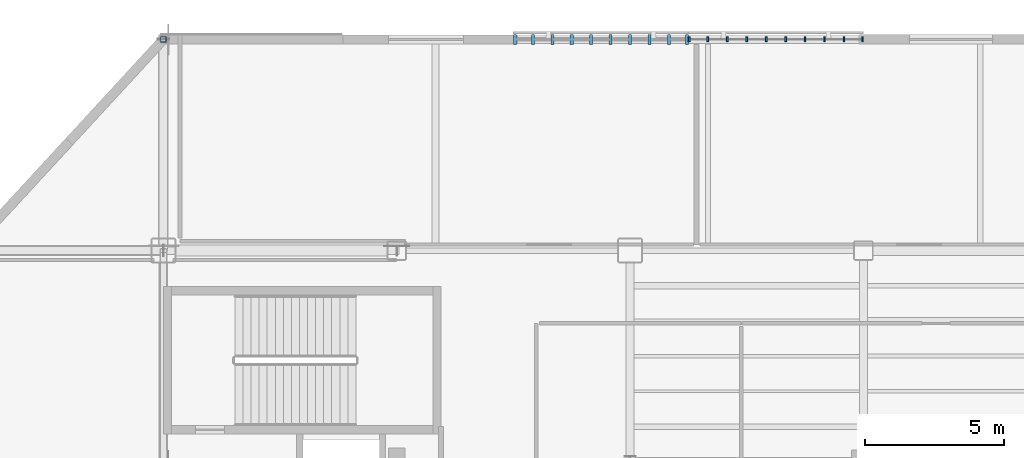
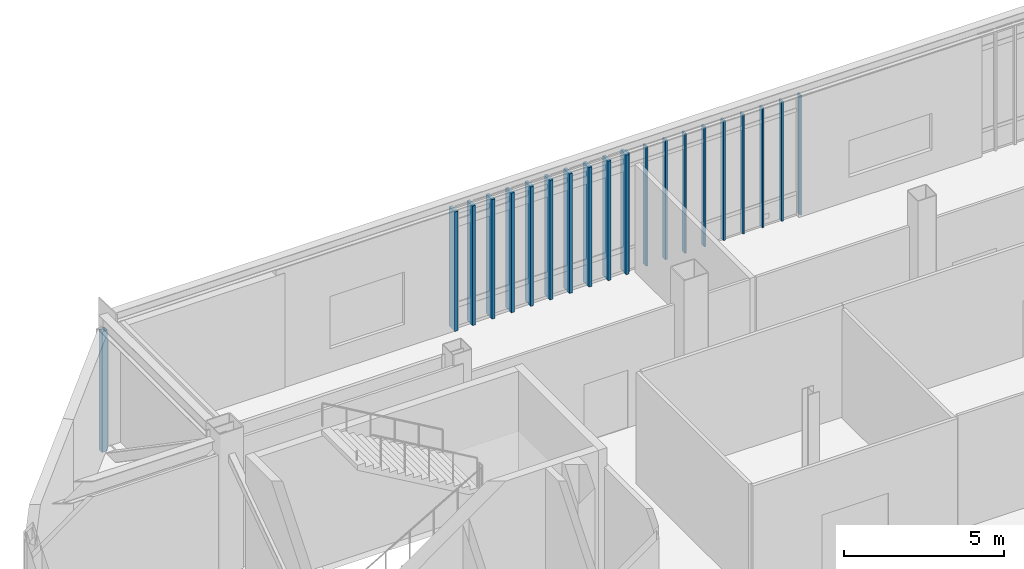
# One storey, part 36 of 127: 21 members, 2 elements without a shape of their own.
"""IFC4 building model written with IfcOpenShell, lengths in metres."""

from ifc_helpers import new_model, si_unit, direction, frame, origin, origin_2d, place, context, subcontext, project, spatial, rectangle, hollow_rectangle, extrude, material, material_profile, profile_set, type_object, element, aggregate, save


model = new_model("IFC4")

# Units and contexts
model_context = context("Model", 3, precision=1e-05, world=origin(), true_north=direction((0.0, 1.0)))
body_context = subcontext(model_context, "Body", "Model", "MODEL_VIEW")
ifc_project = project(units=[si_unit("LENGTHUNIT", "METRE"), si_unit("AREAUNIT", "SQUARE_METRE"), si_unit("VOLUMEUNIT", "CUBIC_METRE"), si_unit("PLANEANGLEUNIT", "RADIAN"), si_unit("MASSUNIT", "GRAM", prefix="KILO")], contexts=[model_context])

# Site, building, storey
site_placement = place(None, origin())
site = spatial("IfcSite", under=ifc_project, at=site_placement, CompositionType="ELEMENT")
building_placement = place(site_placement, origin())
building = spatial("IfcBuilding", under=site, at=building_placement, Name="Larkvane Passage Sports Hall", CompositionType="ELEMENT")
storey_placement = place(building_placement, frame((0.0, 0.0, 5.39990234375)))
storey = spatial("IfcBuildingStorey", under=building, at=storey_placement, Name="L01", CompositionType="ELEMENT", Elevation=5.39990234375)

# Curtain wall, members
ifc_material_1 = material(Name="Thermally broken aluminium and low-E glazing", Category="aluminium")
curtain_wall_type_1 = type_object("IfcCurtainWallType", Name="CW-CLINIC", PredefinedType="USERDEFINED", material=ifc_material_1)
curtain_wall_1_placement = place(storey_placement, origin())
curtain_wall_1 = element("IfcCurtainWall", 1, at=curtain_wall_1_placement, inside=storey, type_object=curtain_wall_type_1, Name="Curtain wall CW5-L01-039", ObjectType="UNITISED CURTAIN WALL", PredefinedType="USERDEFINED")
ifc_material_2 = material(Name="Anodised aluminium 6063-T6", Category="aluminium")
ifc_material_profile_1 = material_profile(ifc_material_2, rectangle(XDim=0.110107421875, YDim=0.360107421875, at=origin_2d()), Name="ALU-MUL-110x360")
ifc_profile_set_1 = profile_set([ifc_material_profile_1], Name="Anodised aluminium 6063-T6")
member_type_1 = type_object("IfcMemberType", Name="CW-MUL-110x360", PredefinedType="MULLION", material=ifc_profile_set_1)
member_1_placement = place(storey_placement, frame((47.455078125, 99.199951171875, 0.0), z_axis=(0.0, 0.0, 1.0), x_axis=(1.0, 0.0, 0.0)))
member_1 = element("IfcMember", 2, at=member_1_placement, type_object=member_type_1, Name="CW-05 mullion 1", PredefinedType="MULLION", context=body_context, shape_type="SweptSolid", body=[
    extrude(rectangle(XDim=0.110107421875, YDim=0.360107421875, at=origin_2d()), origin(), (0.0, 0.0, 1.0), 4.568115234375),
])
member_2_placement = place(storey_placement, frame((48.10009765625, 99.199951171875, 0.0), z_axis=(0.0, 0.0, 1.0), x_axis=(1.0, 0.0, 0.0)))
member_2 = element("IfcMember", 3, at=member_2_placement, type_object=member_type_1, Name="CW-05 mullion 2", PredefinedType="MULLION", context=body_context, shape_type="SweptSolid", body=[
    extrude(rectangle(XDim=0.110107421875, YDim=0.360107421875, at=origin_2d()), origin(), (0.0, 0.0, 1.0), 4.568115234375),
])
member_3_placement = place(storey_placement, frame((48.800048828125, 99.199951171875, 0.0), z_axis=(0.0, 0.0, 1.0), x_axis=(1.0, 0.0, 0.0)))
member_3 = element("IfcMember", 4, at=member_3_placement, type_object=member_type_1, Name="CW-05 mullion 3", PredefinedType="MULLION", context=body_context, shape_type="SweptSolid", body=[
    extrude(rectangle(XDim=0.110107421875, YDim=0.360107421875, at=origin_2d()), origin(), (0.0, 0.0, 1.0), 4.568115234375),
])
member_4_placement = place(storey_placement, frame((49.5, 99.199951171875, 0.0), z_axis=(0.0, 0.0, 1.0), x_axis=(1.0, 0.0, 0.0)))
member_4 = element("IfcMember", 5, at=member_4_placement, type_object=member_type_1, Name="CW-05 mullion 4", PredefinedType="MULLION", context=body_context, shape_type="SweptSolid", body=[
    extrude(rectangle(XDim=0.110107421875, YDim=0.360107421875, at=origin_2d()), origin(), (0.0, 0.0, 1.0), 4.568115234375),
])
member_5_placement = place(storey_placement, frame((50.199951171875, 99.199951171875, 0.0), z_axis=(0.0, 0.0, 1.0), x_axis=(1.0, 0.0, 0.0)))
member_5 = element("IfcMember", 6, at=member_5_placement, type_object=member_type_1, Name="CW-05 mullion 5", PredefinedType="MULLION", context=body_context, shape_type="SweptSolid", body=[
    extrude(rectangle(XDim=0.110107421875, YDim=0.360107421875, at=origin_2d()), origin(), (0.0, 0.0, 1.0), 4.568115234375),
])
member_6_placement = place(storey_placement, frame((50.89990234375, 99.199951171875, 0.0), z_axis=(0.0, 0.0, 1.0), x_axis=(1.0, 0.0, 0.0)))
member_6 = element("IfcMember", 7, at=member_6_placement, type_object=member_type_1, Name="CW-05 mullion 6", PredefinedType="MULLION", context=body_context, shape_type="SweptSolid", body=[
    extrude(rectangle(XDim=0.110107421875, YDim=0.360107421875, at=origin_2d()), origin(), (0.0, 0.0, 1.0), 4.568115234375),
])
member_7_placement = place(storey_placement, frame((51.60009765625, 99.199951171875, 0.0), z_axis=(0.0, 0.0, 1.0), x_axis=(1.0, 0.0, 0.0)))
member_7 = element("IfcMember", 8, at=member_7_placement, type_object=member_type_1, Name="CW-05 mullion 7", PredefinedType="MULLION", context=body_context, shape_type="SweptSolid", body=[
    extrude(rectangle(XDim=0.110107421875, YDim=0.360107421875, at=origin_2d()), origin(), (0.0, 0.0, 1.0), 4.568115234375),
])
member_8_placement = place(storey_placement, frame((52.300048828125, 99.199951171875, 0.0), z_axis=(0.0, 0.0, 1.0), x_axis=(1.0, 0.0, 0.0)))
member_8 = element("IfcMember", 9, at=member_8_placement, type_object=member_type_1, Name="CW-05 mullion 8", PredefinedType="MULLION", context=body_context, shape_type="SweptSolid", body=[
    extrude(rectangle(XDim=0.110107421875, YDim=0.360107421875, at=origin_2d()), origin(), (0.0, 0.0, 1.0), 4.568115234375),
])
member_9_placement = place(storey_placement, frame((53.0, 99.199951171875, 0.0), z_axis=(0.0, 0.0, 1.0), x_axis=(1.0, 0.0, 0.0)))
member_9 = element("IfcMember", 10, at=member_9_placement, type_object=member_type_1, Name="CW-05 mullion 9", PredefinedType="MULLION", context=body_context, shape_type="SweptSolid", body=[
    extrude(rectangle(XDim=0.110107421875, YDim=0.360107421875, at=origin_2d()), origin(), (0.0, 0.0, 1.0), 4.568115234375),
])
member_10_placement = place(storey_placement, frame((53.64501953125, 99.199951171875, 0.0), z_axis=(0.0, 0.0, 1.0), x_axis=(1.0, 0.0, 0.0)))
member_10 = element("IfcMember", 11, at=member_10_placement, type_object=member_type_1, Name="CW-05 mullion 10", PredefinedType="MULLION", context=body_context, shape_type="SweptSolid", body=[
    extrude(rectangle(XDim=0.110107421875, YDim=0.360107421875, at=origin_2d()), origin(), (0.0, 0.0, 1.0), 4.568115234375),
])
aggregate(curtain_wall_1, [member_1, member_2, member_3, member_4, member_5, member_6, member_7, member_8, member_9, member_10])

curtain_wall_type_2 = type_object("IfcCurtainWallType", Name="CW-UNIT-COURT", PredefinedType="USERDEFINED", material=ifc_material_1)
curtain_wall_2_placement = place(storey_placement, origin())
curtain_wall_2 = element("IfcCurtainWall", 12, at=curtain_wall_2_placement, inside=storey, type_object=curtain_wall_type_2, Name="Curtain wall CW5-L01-040", ObjectType="UNITISED CURTAIN WALL", PredefinedType="USERDEFINED")
ifc_material_profile_2 = material_profile(ifc_material_2, rectangle(XDim=0.06494140625, YDim=0.179931640625, at=origin_2d()), Name="ALU-MUL-65x180")
ifc_profile_set_2 = profile_set([ifc_material_profile_2], Name="Anodised aluminium 6063-T6")
member_type_2 = type_object("IfcMemberType", Name="CW-MUL-65x180", PredefinedType="MULLION", material=ifc_profile_set_2)
member_11_placement = place(storey_placement, frame((53.732421875, 99.199951171875, 0.0), z_axis=(0.0, 0.0, 1.0), x_axis=(1.0, 0.0, 0.0)))
member_11 = element("IfcMember", 13, at=member_11_placement, type_object=member_type_2, Name="CW-01 mullion 1", PredefinedType="MULLION", context=body_context, shape_type="SweptSolid", body=[
    extrude(rectangle(XDim=0.06494140625, YDim=0.179931640625, at=origin_2d()), origin(), (0.0, 0.0, 1.0), 4.578125),
])
member_12_placement = place(storey_placement, frame((54.39990234375, 99.199951171875, 0.0), z_axis=(0.0, 0.0, 1.0), x_axis=(1.0, 0.0, 0.0)))
member_12 = element("IfcMember", 14, at=member_12_placement, type_object=member_type_2, Name="CW-01 mullion 2", PredefinedType="MULLION", context=body_context, shape_type="SweptSolid", body=[
    extrude(rectangle(XDim=0.06494140625, YDim=0.179931640625, at=origin_2d()), origin(), (0.0, 0.0, 1.0), 4.578125),
])
member_13_placement = place(storey_placement, frame((55.10009765625, 99.199951171875, 0.0), z_axis=(0.0, 0.0, 1.0), x_axis=(1.0, 0.0, 0.0)))
member_13 = element("IfcMember", 15, at=member_13_placement, type_object=member_type_2, Name="CW-01 mullion 3", PredefinedType="MULLION", context=body_context, shape_type="SweptSolid", body=[
    extrude(rectangle(XDim=0.06494140625, YDim=0.179931640625, at=origin_2d()), origin(), (0.0, 0.0, 1.0), 4.578125),
])
member_14_placement = place(storey_placement, frame((55.800048828125, 99.199951171875, 0.0), z_axis=(0.0, 0.0, 1.0), x_axis=(1.0, 0.0, 0.0)))
member_14 = element("IfcMember", 16, at=member_14_placement, type_object=member_type_2, Name="CW-01 mullion 4", PredefinedType="MULLION", context=body_context, shape_type="SweptSolid", body=[
    extrude(rectangle(XDim=0.06494140625, YDim=0.179931640625, at=origin_2d()), origin(), (0.0, 0.0, 1.0), 4.578125),
])
member_15_placement = place(storey_placement, frame((56.5, 99.199951171875, 0.0), z_axis=(0.0, 0.0, 1.0), x_axis=(1.0, 0.0, 0.0)))
member_15 = element("IfcMember", 17, at=member_15_placement, type_object=member_type_2, Name="CW-01 mullion 5", PredefinedType="MULLION", context=body_context, shape_type="SweptSolid", body=[
    extrude(rectangle(XDim=0.06494140625, YDim=0.179931640625, at=origin_2d()), origin(), (0.0, 0.0, 1.0), 4.578125),
])
member_16_placement = place(storey_placement, frame((57.199951171875, 99.199951171875, 0.0), z_axis=(0.0, 0.0, 1.0), x_axis=(1.0, 0.0, 0.0)))
member_16 = element("IfcMember", 18, at=member_16_placement, type_object=member_type_2, Name="CW-01 mullion 6", PredefinedType="MULLION", context=body_context, shape_type="SweptSolid", body=[
    extrude(rectangle(XDim=0.06494140625, YDim=0.179931640625, at=origin_2d()), origin(), (0.0, 0.0, 1.0), 4.578125),
])
member_17_placement = place(storey_placement, frame((57.89990234375, 99.199951171875, 0.0), z_axis=(0.0, 0.0, 1.0), x_axis=(1.0, 0.0, 0.0)))
member_17 = element("IfcMember", 19, at=member_17_placement, type_object=member_type_2, Name="CW-01 mullion 7", PredefinedType="MULLION", context=body_context, shape_type="SweptSolid", body=[
    extrude(rectangle(XDim=0.06494140625, YDim=0.179931640625, at=origin_2d()), origin(), (0.0, 0.0, 1.0), 4.578125),
])
member_18_placement = place(storey_placement, frame((58.60009765625, 99.199951171875, 0.0), z_axis=(0.0, 0.0, 1.0), x_axis=(1.0, 0.0, 0.0)))
member_18 = element("IfcMember", 20, at=member_18_placement, type_object=member_type_2, Name="CW-01 mullion 8", PredefinedType="MULLION", context=body_context, shape_type="SweptSolid", body=[
    extrude(rectangle(XDim=0.06494140625, YDim=0.179931640625, at=origin_2d()), origin(), (0.0, 0.0, 1.0), 4.578125),
])
member_19_placement = place(storey_placement, frame((59.300048828125, 99.199951171875, 0.0), z_axis=(0.0, 0.0, 1.0), x_axis=(1.0, 0.0, 0.0)))
member_19 = element("IfcMember", 21, at=member_19_placement, type_object=member_type_2, Name="CW-01 mullion 9", PredefinedType="MULLION", context=body_context, shape_type="SweptSolid", body=[
    extrude(rectangle(XDim=0.06494140625, YDim=0.179931640625, at=origin_2d()), origin(), (0.0, 0.0, 1.0), 4.578125),
])
member_20_placement = place(storey_placement, frame((59.967529296875, 99.199951171875, 0.0), z_axis=(0.0, 0.0, 1.0), x_axis=(1.0, 0.0, 0.0)))
member_20 = element("IfcMember", 22, at=member_20_placement, type_object=member_type_2, Name="CW-01 mullion 10", PredefinedType="MULLION", context=body_context, shape_type="SweptSolid", body=[
    extrude(rectangle(XDim=0.06494140625, YDim=0.179931640625, at=origin_2d()), origin(), (0.0, 0.0, 1.0), 4.578125),
])
aggregate(curtain_wall_2, [member_11, member_12, member_13, member_14, member_15, member_16, member_17, member_18, member_19, member_20])

# Member
ifc_material_3 = material(Name="Steel S460N", Category="steel")
ifc_material_profile_3 = material_profile(ifc_material_3, hollow_rectangle(XDim=0.199951171875, YDim=0.199951171875, WallThickness=0.009033203125, InnerFilletRadius=0.009033203125, OuterFilletRadius=0.01806640625, at=origin_2d()), Name="SHS-200x200x9")
ifc_profile_set_3 = profile_set([ifc_material_profile_3], Name="Steel S460N")
member_type_3 = type_object("IfcMemberType", Name="MBR-ST-SHS200", PredefinedType="STRUT", material=ifc_profile_set_3)
member_21_placement = place(storey_placement, frame((34.800048828125, 99.199951171875, -0.22998046875), z_axis=(0.0, 0.0, 1.0), x_axis=(1.0, 0.0, 0.0)))
element("IfcMember", 23, at=member_21_placement, inside=storey, type_object=member_type_3, Name="Cantilever truss CT-N1A-1 vertical post 3", PredefinedType="STRUT", context=body_context, shape_type="SweptSolid", body=[
    extrude(hollow_rectangle(XDim=0.199951171875, YDim=0.199951171875, WallThickness=0.009033203125, InnerFilletRadius=0.009033203125, OuterFilletRadius=0.01806640625, at=origin_2d()), origin(), (0.0, 0.0, 1.0), 4.6220703125),
])

save(model, "model.ifc")
